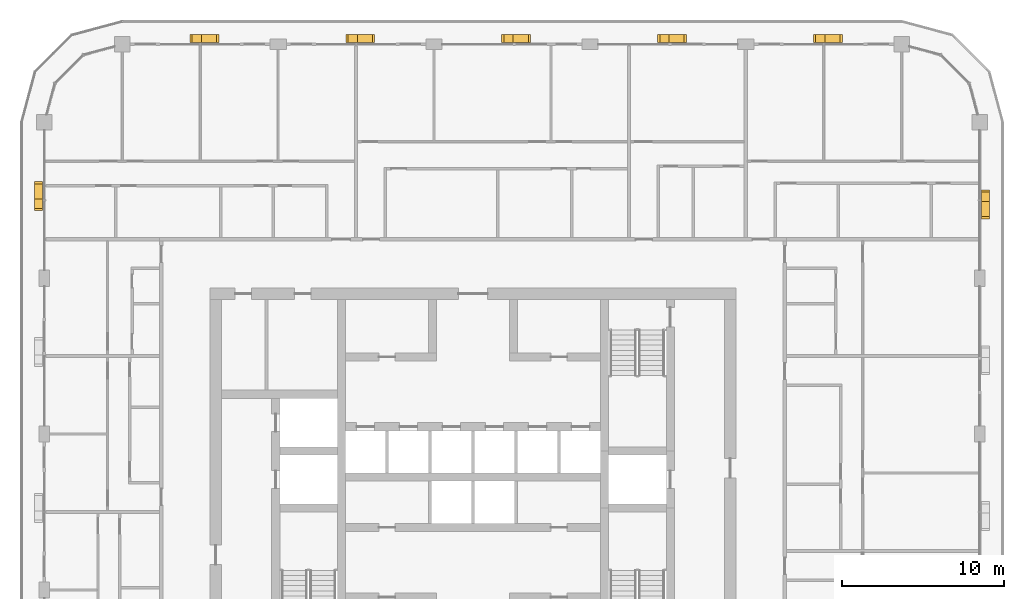
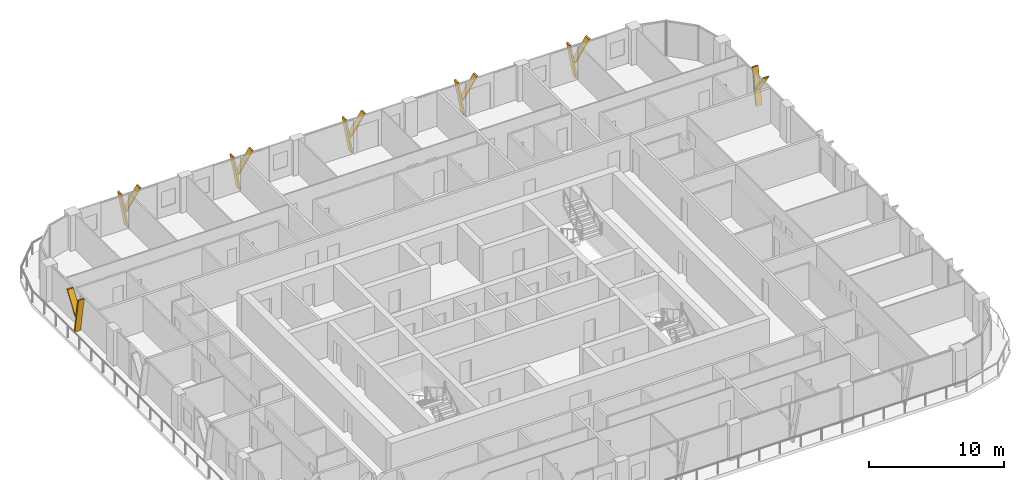
# One storey, part 22 of 22: 14 shading devices.
"""IFC4 building model written with IfcOpenShell, lengths in metres."""

from ifc_helpers import new_model, si_unit, direction, frame, origin, place, context, subcontext, project, spatial, polyline, outline, extrude, material, type_object, element, save


model = new_model("IFC4")

# Units and contexts
model_context = context("Model", 3, precision=1e-05, world=origin(), true_north=direction((0.0, 1.0)))
body_context = subcontext(model_context, "Body", "Model", "MODEL_VIEW")
ifc_project = project(units=[si_unit("LENGTHUNIT", "METRE"), si_unit("AREAUNIT", "SQUARE_METRE"), si_unit("VOLUMEUNIT", "CUBIC_METRE"), si_unit("PLANEANGLEUNIT", "RADIAN"), si_unit("MASSUNIT", "GRAM", prefix="KILO")], contexts=[model_context])

# Site, building, storey
site_placement = place(None, origin())
site = spatial("IfcSite", under=ifc_project, at=site_placement, CompositionType="ELEMENT")
building_placement = place(site_placement, origin())
building = spatial("IfcBuilding", under=site, at=building_placement, Name="Madar Terraces", CompositionType="ELEMENT")
storey_placement = place(building_placement, frame((0.0, 0.0, 208.800048828125)))
storey = spatial("IfcBuildingStorey", under=building, at=storey_placement, Name="L54", CompositionType="ELEMENT", Elevation=208.800048828125)

# Shading devices
ifc_material = material(Name="Aluminium, black anodised", Category="aluminium")
shading_device_type = type_object("IfcShadingDeviceType", Name="Facade fin blade 140 x 500", PredefinedType="USERDEFINED", material=ifc_material)
shading_device_1_placement = place(storey_placement, frame((62.75, 43.1298828125, 0.0), z_axis=(0.0, 0.0, 1.0), x_axis=(0.0, 1.0, 0.0)))
element("IfcShadingDevice", 1, at=shading_device_1_placement, inside=storey, type_object=shading_device_type, Name="FIN L54 E4", ObjectType="FIN", PredefinedType="USERDEFINED", context=body_context, shape_type="SweptSolid", body=[
    extrude(outline(polyline([(0.0, 0.0), (0.14013671875, 0.0), (0.704345703125, 3.199951171875), (0.564208984375, 3.199951171875), (0.0, 0.0)])), frame((0.0, 0.25, 0.0), z_axis=(0.0, -1.0, 0.0), x_axis=(1.0, 0.0, 0.0)), (0.0, 0.0, 1.0), 0.5),
])
shading_device_2_placement = place(storey_placement, frame((62.75, 43.243896484375, 1.43994140625), z_axis=(0.0, 0.0, 1.0), x_axis=(0.0, 1.0, 0.0)))
element("IfcShadingDevice", 2, at=shading_device_2_placement, inside=storey, type_object=shading_device_type, Name="FIN L54 E4 branch", ObjectType="FIN", PredefinedType="USERDEFINED", context=body_context, shape_type="SweptSolid", body=[
    extrude(outline(polyline([(0.0, 0.0), (0.139892578125, 0.0), (-1.049560546875, 1.760009765625), (-1.189697265625, 1.760009765625), (0.0, 0.0)])), frame((0.0, 0.25, 0.0), z_axis=(0.0, -1.0, 0.0), x_axis=(1.0, 0.0, 0.0)), (0.0, 0.0, 1.0), 0.5),
])
shading_device_3_placement = place(storey_placement, frame((52.8701171875, 53.14990234375, 0.0), z_axis=(0.0, 0.0, 1.0), x_axis=(-1.0, 0.0, 0.0)))
element("IfcShadingDevice", 3, at=shading_device_3_placement, inside=storey, type_object=shading_device_type, Name="FIN L54 N1", ObjectType="FIN", PredefinedType="USERDEFINED", context=body_context, shape_type="SweptSolid", body=[
    extrude(outline(polyline([(0.0, 0.0), (0.14013671875, 0.0), (0.704345703125, 3.199951171875), (0.564208984375, 3.199951171875), (0.0, 0.0)])), frame((0.0, 0.25, 0.0), z_axis=(0.0, -1.0, 0.0), x_axis=(1.0, 0.0, 0.0)), (0.0, 0.0, 1.0), 0.5),
])
shading_device_4_placement = place(storey_placement, frame((52.756103515625, 53.14990234375, 1.43994140625), z_axis=(0.0, 0.0, 1.0), x_axis=(-1.0, 0.0, 0.0)))
element("IfcShadingDevice", 4, at=shading_device_4_placement, inside=storey, type_object=shading_device_type, Name="FIN L54 N1 branch", ObjectType="FIN", PredefinedType="USERDEFINED", context=body_context, shape_type="SweptSolid", body=[
    extrude(outline(polyline([(0.0, 0.0), (0.139892578125, 0.0), (-1.049560546875, 1.760009765625), (-1.189697265625, 1.760009765625), (0.0, 0.0)])), frame((0.0, 0.25, 0.0), z_axis=(0.0, -1.0, 0.0), x_axis=(1.0, 0.0, 0.0)), (0.0, 0.0, 1.0), 0.5),
])
shading_device_5_placement = place(storey_placement, frame((43.27001953125, 53.14990234375, 0.0), z_axis=(0.0, 0.0, 1.0), x_axis=(-1.0, 0.0, 0.0)))
element("IfcShadingDevice", 5, at=shading_device_5_placement, inside=storey, type_object=shading_device_type, Name="FIN L54 N2", ObjectType="FIN", PredefinedType="USERDEFINED", context=body_context, shape_type="SweptSolid", body=[
    extrude(outline(polyline([(0.0, 0.0), (0.14013671875, 0.0), (0.704345703125, 3.199951171875), (0.564208984375, 3.199951171875), (0.0, 0.0)])), frame((0.0, 0.25, 0.0), z_axis=(0.0, -1.0, 0.0), x_axis=(1.0, 0.0, 0.0)), (0.0, 0.0, 1.0), 0.5),
])
shading_device_6_placement = place(storey_placement, frame((43.156005859375, 53.14990234375, 1.43994140625), z_axis=(0.0, 0.0, 1.0), x_axis=(-1.0, 0.0, 0.0)))
element("IfcShadingDevice", 6, at=shading_device_6_placement, inside=storey, type_object=shading_device_type, Name="FIN L54 N2 branch", ObjectType="FIN", PredefinedType="USERDEFINED", context=body_context, shape_type="SweptSolid", body=[
    extrude(outline(polyline([(0.0, 0.0), (0.139892578125, 0.0), (-1.049560546875, 1.760009765625), (-1.189697265625, 1.760009765625), (0.0, 0.0)])), frame((0.0, 0.25, 0.0), z_axis=(0.0, -1.0, 0.0), x_axis=(1.0, 0.0, 0.0)), (0.0, 0.0, 1.0), 0.5),
])
shading_device_7_placement = place(storey_placement, frame((33.669921875, 53.14990234375, 0.0), z_axis=(0.0, 0.0, 1.0), x_axis=(-1.0, 0.0, 0.0)))
element("IfcShadingDevice", 7, at=shading_device_7_placement, inside=storey, type_object=shading_device_type, Name="FIN L54 N3", ObjectType="FIN", PredefinedType="USERDEFINED", context=body_context, shape_type="SweptSolid", body=[
    extrude(outline(polyline([(0.0, 0.0), (0.139892578125, 0.0), (0.704345703125, 3.199951171875), (0.564208984375, 3.199951171875), (0.0, 0.0)])), frame((0.0, 0.25, 0.0), z_axis=(0.0, -1.0, 0.0), x_axis=(1.0, 0.0, 0.0)), (0.0, 0.0, 1.0), 0.5),
])
shading_device_8_placement = place(storey_placement, frame((33.55615234375, 53.14990234375, 1.43994140625), z_axis=(0.0, 0.0, 1.0), x_axis=(-1.0, 0.0, 0.0)))
element("IfcShadingDevice", 8, at=shading_device_8_placement, inside=storey, type_object=shading_device_type, Name="FIN L54 N3 branch", ObjectType="FIN", PredefinedType="USERDEFINED", context=body_context, shape_type="SweptSolid", body=[
    extrude(outline(polyline([(0.0, 0.0), (0.14013671875, 0.0), (-1.049560546875, 1.760009765625), (-1.189697265625, 1.760009765625), (0.0, 0.0)])), frame((0.0, 0.25, 0.0), z_axis=(0.0, -1.0, 0.0), x_axis=(1.0, 0.0, 0.0)), (0.0, 0.0, 1.0), 0.5),
])
shading_device_9_placement = place(storey_placement, frame((24.070068359375, 53.14990234375, 0.0), z_axis=(0.0, 0.0, 1.0), x_axis=(-1.0, 0.0, 0.0)))
element("IfcShadingDevice", 9, at=shading_device_9_placement, inside=storey, type_object=shading_device_type, Name="FIN L54 N4", ObjectType="FIN", PredefinedType="USERDEFINED", context=body_context, shape_type="SweptSolid", body=[
    extrude(outline(polyline([(0.0, 0.0), (0.14013671875, 0.0), (0.704345703125, 3.199951171875), (0.564208984375, 3.199951171875), (0.0, 0.0)])), frame((0.0, 0.25, 0.0), z_axis=(0.0, -1.0, 0.0), x_axis=(1.0, 0.0, 0.0)), (0.0, 0.0, 1.0), 0.5),
])
shading_device_10_placement = place(storey_placement, frame((23.9560546875, 53.14990234375, 1.43994140625), z_axis=(0.0, 0.0, 1.0), x_axis=(-1.0, 0.0, 0.0)))
element("IfcShadingDevice", 10, at=shading_device_10_placement, inside=storey, type_object=shading_device_type, Name="FIN L54 N4 branch", ObjectType="FIN", PredefinedType="USERDEFINED", context=body_context, shape_type="SweptSolid", body=[
    extrude(outline(polyline([(0.0, 0.0), (0.139892578125, 0.0), (-1.049560546875, 1.760009765625), (-1.189697265625, 1.760009765625), (0.0, 0.0)])), frame((0.0, 0.25, 0.0), z_axis=(0.0, -1.0, 0.0), x_axis=(1.0, 0.0, 0.0)), (0.0, 0.0, 1.0), 0.5),
])
shading_device_11_placement = place(storey_placement, frame((14.469970703125, 53.14990234375, 0.0), z_axis=(0.0, 0.0, 1.0), x_axis=(-1.0, 0.0, 0.0)))
element("IfcShadingDevice", 11, at=shading_device_11_placement, inside=storey, type_object=shading_device_type, Name="FIN L54 N5", ObjectType="FIN", PredefinedType="USERDEFINED", context=body_context, shape_type="SweptSolid", body=[
    extrude(outline(polyline([(0.0, 0.0), (0.139892578125, 0.0), (0.704345703125, 3.199951171875), (0.564208984375, 3.199951171875), (0.0, 0.0)])), frame((0.0, 0.25, 0.0), z_axis=(0.0, -1.0, 0.0), x_axis=(1.0, 0.0, 0.0)), (0.0, 0.0, 1.0), 0.5),
])
shading_device_12_placement = place(storey_placement, frame((14.356201171875, 53.14990234375, 1.43994140625), z_axis=(0.0, 0.0, 1.0), x_axis=(-1.0, 0.0, 0.0)))
element("IfcShadingDevice", 12, at=shading_device_12_placement, inside=storey, type_object=shading_device_type, Name="FIN L54 N5 branch", ObjectType="FIN", PredefinedType="USERDEFINED", context=body_context, shape_type="SweptSolid", body=[
    extrude(outline(polyline([(0.0, 0.0), (0.14013671875, 0.0), (-1.049560546875, 1.760009765625), (-1.189697265625, 1.760009765625), (0.0, 0.0)])), frame((0.0, 0.25, 0.0), z_axis=(0.0, -1.0, 0.0), x_axis=(1.0, 0.0, 0.0)), (0.0, 0.0, 1.0), 0.5),
])
shading_device_13_placement = place(storey_placement, frame((4.449951171875, 43.27001953125, 0.0), z_axis=(0.0, 0.0, 1.0), x_axis=(0.0, -1.0, 0.0)))
element("IfcShadingDevice", 13, at=shading_device_13_placement, inside=storey, type_object=shading_device_type, Name="FIN L54 W1", ObjectType="FIN", PredefinedType="USERDEFINED", context=body_context, shape_type="SweptSolid", body=[
    extrude(outline(polyline([(0.0, 0.0), (0.14013671875, 0.0), (0.704345703125, 3.199951171875), (0.564208984375, 3.199951171875), (0.0, 0.0)])), frame((0.0, 0.25, 0.0), z_axis=(0.0, -1.0, 0.0), x_axis=(1.0, 0.0, 0.0)), (0.0, 0.0, 1.0), 0.5),
])
shading_device_14_placement = place(storey_placement, frame((4.449951171875, 43.156005859375, 1.43994140625), z_axis=(0.0, 0.0, 1.0), x_axis=(0.0, -1.0, 0.0)))
element("IfcShadingDevice", 14, at=shading_device_14_placement, inside=storey, type_object=shading_device_type, Name="FIN L54 W1 branch", ObjectType="FIN", PredefinedType="USERDEFINED", context=body_context, shape_type="SweptSolid", body=[
    extrude(outline(polyline([(0.0, 0.0), (0.139892578125, 0.0), (-1.049560546875, 1.760009765625), (-1.189697265625, 1.760009765625), (0.0, 0.0)])), frame((0.0, 0.25, 0.0), z_axis=(0.0, -1.0, 0.0), x_axis=(1.0, 0.0, 0.0)), (0.0, 0.0, 1.0), 0.5),
])

save(model, "model.ifc")
